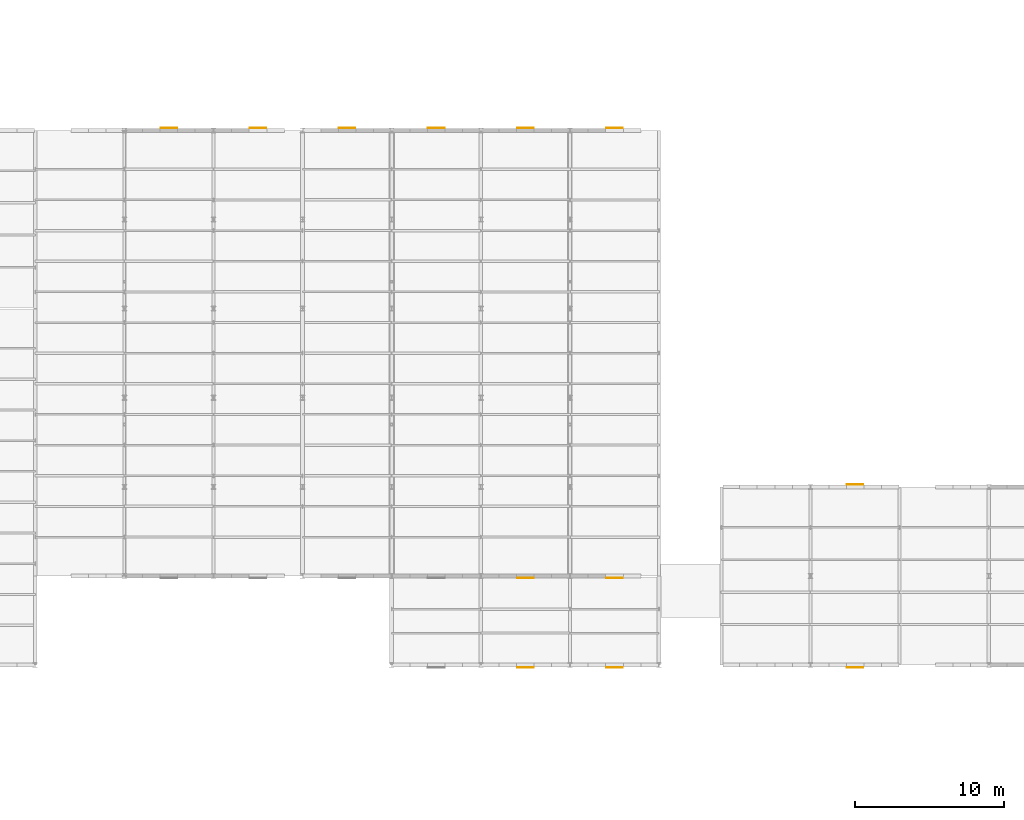
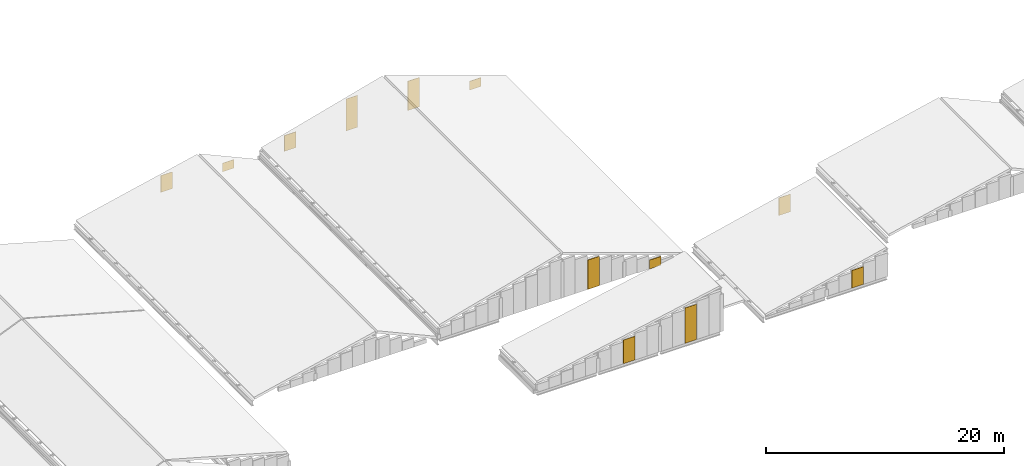
# One storey, part 71 of 74: 12 coverings.
"""IFC4 building model written with IfcOpenShell, lengths in metres."""

from ifc_helpers import new_model, si_unit, direction, frame, origin, origin_2d, place, context, subcontext, project, spatial, rectangle, extrude, material, layer, layer_set, type_object, element, save


model = new_model("IFC4")

# Units and contexts
model_context = context("Model", 3, precision=1e-05, world=origin(), true_north=direction((0.0, 1.0)))
body_context = subcontext(model_context, "Body", "Model", "MODEL_VIEW")
ifc_project = project(units=[si_unit("LENGTHUNIT", "METRE"), si_unit("AREAUNIT", "SQUARE_METRE"), si_unit("VOLUMEUNIT", "CUBIC_METRE"), si_unit("PLANEANGLEUNIT", "RADIAN"), si_unit("MASSUNIT", "GRAM", prefix="KILO")], contexts=[model_context])

# Site, building, storey
site_placement = place(None, origin())
site = spatial("IfcSite", under=ifc_project, at=site_placement, CompositionType="ELEMENT")
building_placement = place(site_placement, origin())
building = spatial("IfcBuilding", under=site, at=building_placement, Name="Siltcreek Boulevard Central Fire Station", CompositionType="ELEMENT")
storey_placement = place(building_placement, frame((0.0, 0.0, 25.199951171875)))
storey = spatial("IfcBuildingStorey", under=building, at=storey_placement, Name="RF", CompositionType="ELEMENT", Elevation=25.199951171875)

# Coverings
ifc_material = material(Name="Clear-sealed Western Red Cedar gable cladding", Category="wood")
ifc_layer = layer(ifc_material, 0.034912109375, Name="Clear-sealed Western Red Cedar gable cladding")
ifc_layer_set = layer_set([ifc_layer], Name="Clear-sealed Western Red Cedar gable cladding")
covering_type = type_object("IfcCoveringType", Name="COV_CLAD_CEDAR", PredefinedType="CLADDING", material=ifc_layer_set)
covering_1_placement = place(storey_placement, frame((75.0, 54.14794921875, -11.169921875), z_axis=(0.0, 0.0, 1.0), x_axis=(-1.0, 0.0, 0.0)))
element("IfcCovering", 1, at=covering_1_placement, inside=storey, type_object=covering_type, Name="Gable facade cladding panel CL-038", PredefinedType="CLADDING", context=body_context, shape_type="SweptSolid", body=[
    extrude(rectangle(XDim=1.1220703125, YDim=0.034912109375, at=origin_2d()), origin(), (0.0, 0.0, 1.0), 1.7158203125),
])
covering_2_placement = place(storey_placement, frame((81.0, 54.14794921875, -11.169921875), z_axis=(0.0, 0.0, 1.0), x_axis=(-1.0, 0.0, 0.0)))
element("IfcCovering", 2, at=covering_2_placement, inside=storey, type_object=covering_type, Name="Gable facade cladding panel CL-040", PredefinedType="CLADDING", context=body_context, shape_type="SweptSolid", body=[
    extrude(rectangle(XDim=1.1220703125, YDim=0.034912109375, at=origin_2d()), origin(), (0.0, 0.0, 1.0), 0.889892578125),
])
covering_3_placement = place(storey_placement, frame((87.0, 54.14794921875, -11.169921875), z_axis=(0.0, 0.0, 1.0), x_axis=(-1.0, 0.0, 0.0)))
element("IfcCovering", 3, at=covering_3_placement, inside=storey, type_object=covering_type, Name="Gable facade cladding panel CL-043", PredefinedType="CLADDING", context=body_context, shape_type="SweptSolid", body=[
    extrude(rectangle(XDim=1.1220703125, YDim=0.034912109375, at=origin_2d()), origin(), (0.0, 0.0, 1.0), 1.63330078125),
])
covering_4_placement = place(storey_placement, frame((93.0, 54.14794921875, -11.169921875), z_axis=(0.0, 0.0, 1.0), x_axis=(-1.0, 0.0, 0.0)))
element("IfcCovering", 4, at=covering_4_placement, inside=storey, type_object=covering_type, Name="Gable facade cladding panel CL-044", PredefinedType="CLADDING", context=body_context, shape_type="SweptSolid", body=[
    extrude(rectangle(XDim=1.1220703125, YDim=0.034912109375, at=origin_2d()), origin(), (0.0, 0.0, 1.0), 3.283203125),
])
covering_5_placement = place(storey_placement, frame((99.0, 23.85205078125, -11.169921875), z_axis=(0.0, 0.0, 1.0), x_axis=(1.0, 0.0, 0.0)))
element("IfcCovering", 5, at=covering_5_placement, inside=storey, type_object=covering_type, Name="Gable facade cladding panel CL-045", PredefinedType="CLADDING", context=body_context, shape_type="SweptSolid", body=[
    extrude(rectangle(XDim=1.1220703125, YDim=0.034912109375, at=origin_2d()), origin(), (0.0, 0.0, 1.0), 3.00830078125),
])
covering_6_placement = place(storey_placement, frame((105.0, 23.85205078125, -11.169921875), z_axis=(0.0, 0.0, 1.0), x_axis=(1.0, 0.0, 0.0)))
element("IfcCovering", 6, at=covering_6_placement, inside=storey, type_object=covering_type, Name="Gable facade cladding panel CL-046", PredefinedType="CLADDING", context=body_context, shape_type="SweptSolid", body=[
    extrude(rectangle(XDim=1.1220703125, YDim=0.034912109375, at=origin_2d()), origin(), (0.0, 0.0, 1.0), 0.908203125),
])
covering_7_placement = place(storey_placement, frame((99.0, 54.14794921875, -11.169921875), z_axis=(0.0, 0.0, 1.0), x_axis=(-1.0, 0.0, 0.0)))
element("IfcCovering", 7, at=covering_7_placement, inside=storey, type_object=covering_type, Name="Gable facade cladding panel CL-047", PredefinedType="CLADDING", context=body_context, shape_type="SweptSolid", body=[
    extrude(rectangle(XDim=1.1220703125, YDim=0.034912109375, at=origin_2d()), origin(), (0.0, 0.0, 1.0), 3.00830078125),
])
covering_8_placement = place(storey_placement, frame((105.0, 54.14794921875, -11.169921875), z_axis=(0.0, 0.0, 1.0), x_axis=(-1.0, 0.0, 0.0)))
element("IfcCovering", 8, at=covering_8_placement, inside=storey, type_object=covering_type, Name="Gable facade cladding panel CL-048", PredefinedType="CLADDING", context=body_context, shape_type="SweptSolid", body=[
    extrude(rectangle(XDim=1.1220703125, YDim=0.034912109375, at=origin_2d()), origin(), (0.0, 0.0, 1.0), 0.908203125),
])
covering_9_placement = place(storey_placement, frame((99.0, 17.85205078125, -15.169921875), z_axis=(0.0, 0.0, 1.0), x_axis=(1.0, 0.0, 0.0)))
element("IfcCovering", 9, at=covering_9_placement, inside=storey, type_object=covering_type, Name="Gable facade cladding panel CL-050", PredefinedType="CLADDING", context=body_context, shape_type="SweptSolid", body=[
    extrude(rectangle(XDim=1.1220703125, YDim=0.034912109375, at=origin_2d()), origin(), (0.0, 0.0, 1.0), 2.42724609375),
])
covering_10_placement = place(storey_placement, frame((105.0, 17.85205078125, -15.169921875), z_axis=(0.0, 0.0, 1.0), x_axis=(1.0, 0.0, 0.0)))
element("IfcCovering", 10, at=covering_10_placement, inside=storey, type_object=covering_type, Name="Gable facade cladding panel CL-051", PredefinedType="CLADDING", context=body_context, shape_type="SweptSolid", body=[
    extrude(rectangle(XDim=1.1220703125, YDim=0.034912109375, at=origin_2d()), origin(), (0.0, 0.0, 1.0), 3.627197265625),
])
for number, where, z_axis, x_axis, name in (
    (11, (121.199951171875, 17.85205078125, -15.169921875), (0.0, 0.0, 1.0), (1.0, 0.0, 0.0), "Gable facade cladding panel CL-073"),
    (12, (121.199951171875, 30.14794921875, -15.169921875), (0.0, 0.0, 1.0), (-1.0, 0.0, 0.0), "Gable facade cladding panel CL-074"),
):
    element("IfcCovering", number, at=place(storey_placement, frame(where, z_axis=z_axis, x_axis=x_axis)), inside=storey, type_object=covering_type, Name=name, PredefinedType="CLADDING", context=body_context, shape_type="SweptSolid", body=[
        extrude(rectangle(XDim=1.1220703125, YDim=0.034912109375, at=origin_2d()), origin(), (0.0, 0.0, 1.0), 1.805908203125),
    ])

save(model, "model.ifc")
